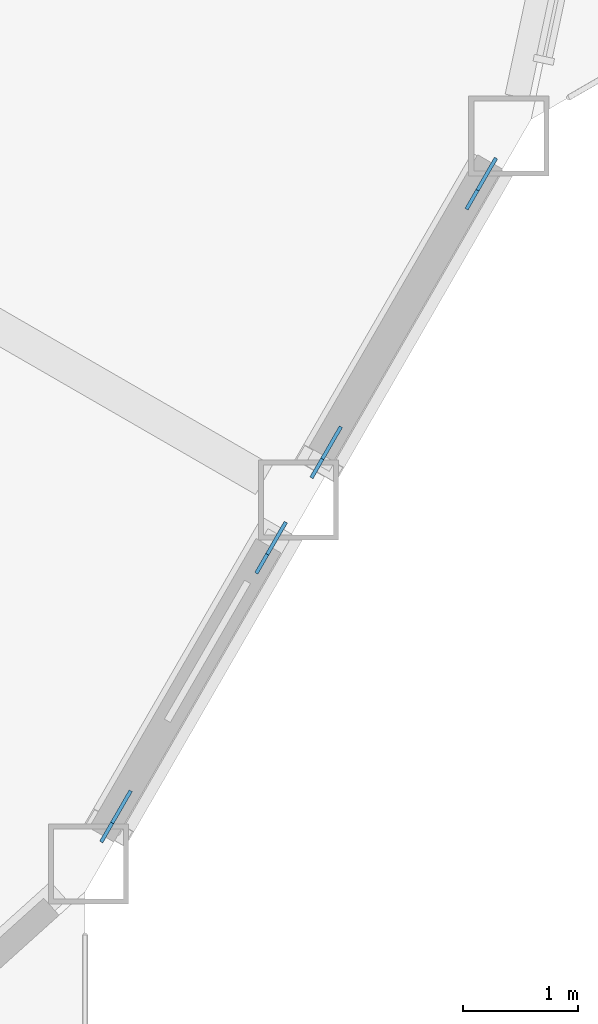
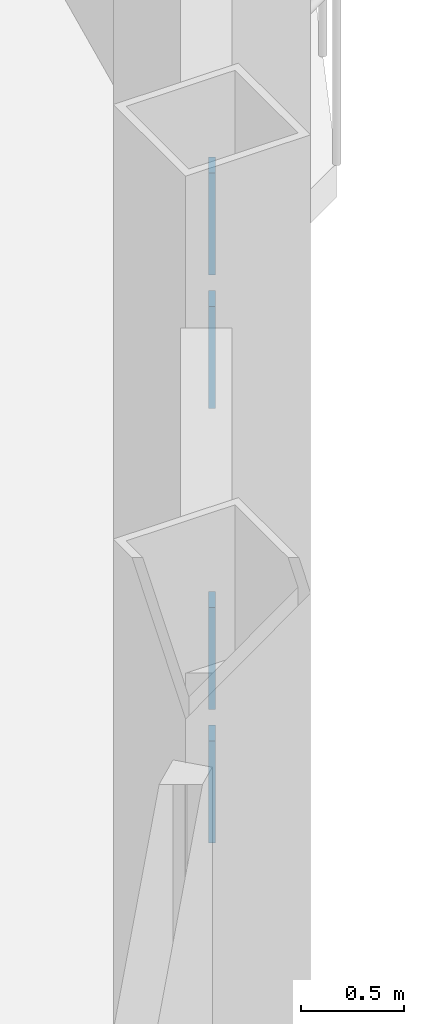
# One storey, part 17 of 23: 4 discrete accessories.
"""IFC4 building model written with IfcOpenShell, lengths in metres."""

from ifc_helpers import new_model, si_unit, direction, frame, origin, origin_2d, place, context, subcontext, project, spatial, rectangle, extrude, material, material_profile, profile_set, type_object, element, save


model = new_model("IFC4")

# Units and contexts
model_context = context("Model", 3, precision=1e-05, world=origin(), true_north=direction((0.0, 1.0)))
body_context = subcontext(model_context, "Body", "Model", "MODEL_VIEW")
ifc_project = project(units=[si_unit("LENGTHUNIT", "METRE"), si_unit("AREAUNIT", "SQUARE_METRE"), si_unit("VOLUMEUNIT", "CUBIC_METRE"), si_unit("PLANEANGLEUNIT", "RADIAN"), si_unit("MASSUNIT", "GRAM", prefix="KILO")], contexts=[model_context])

# Site, building, storey
site_placement = place(None, origin())
site = spatial("IfcSite", under=ifc_project, at=site_placement, CompositionType="ELEMENT")
building_placement = place(site_placement, origin())
building = spatial("IfcBuilding", under=site, at=building_placement, Name="Cormorant Prow Tower", CompositionType="ELEMENT")
storey_placement = place(building_placement, frame((0.0, 0.0, 263.39990234375)))
storey = spatial("IfcBuildingStorey", under=building, at=storey_placement, Name="L59", CompositionType="ELEMENT", Elevation=263.39990234375)

# Discrete accessories
ifc_material = material(Name="Structural steel ASTM A500 Gr C", Category="steel")
ifc_material_profile = material_profile(ifc_material, rectangle(XDim=0.031982421875, YDim=0.506103515625, at=origin_2d()), Name="Gusset plate 32x506")
ifc_profile_set = profile_set([ifc_material_profile], Name="Structural steel ASTM A500 Gr C")
discrete_accessory_type = type_object("IfcDiscreteAccessoryType", Name="Gusset plate 32x506", PredefinedType="BRACKET", material=ifc_profile_set)
discrete_accessory_1_placement = place(storey_placement, frame((27.454833984375, -16.59375, 0.863037109375), z_axis=(0.46266066689, 0.801805590131, -0.37822335061), x_axis=(-0.866147934042, 0.499787711288, 0.0)))
element("IfcDiscreteAccessory", 1, at=discrete_accessory_1_placement, inside=storey, type_object=discrete_accessory_type, Name="Gusset plate GP2 L59.ESE00.g0", PredefinedType="BRACKET", context=body_context, shape_type="SweptSolid", body=[
    extrude(rectangle(XDim=0.031982421875, YDim=0.506103515625, at=origin_2d()), origin(), (0.0, 0.0, 1.0), 0.349853515625),
])
discrete_accessory_2_placement = place(storey_placement, frame((26.262939453125, -18.658203125, 1.837890625), z_axis=(-0.462827914709, -0.801584490837, 0.378487285673), x_axis=(0.866010015463, -0.500026652407, 0.0)))
element("IfcDiscreteAccessory", 2, at=discrete_accessory_2_placement, inside=storey, type_object=discrete_accessory_type, Name="Gusset plate GP2 L59.ESE00.g1", PredefinedType="BRACKET", context=body_context, shape_type="SweptSolid", body=[
    extrude(rectangle(XDim=0.031982421875, YDim=0.506103515625, at=origin_2d()), origin(), (0.0, 0.0, 1.0), 0.350341796875),
])
discrete_accessory_3_placement = place(storey_placement, frame((29.2900390625, -13.4150390625, 0.863037109375), z_axis=(0.46266066689, 0.801805590131, -0.37822335061), x_axis=(-0.866147934042, 0.499787711288, 0.0)))
element("IfcDiscreteAccessory", 3, at=discrete_accessory_3_placement, inside=storey, type_object=discrete_accessory_type, Name="Gusset plate GP2 L59.ESE01.g0", PredefinedType="BRACKET", context=body_context, shape_type="SweptSolid", body=[
    extrude(rectangle(XDim=0.031982421875, YDim=0.506103515625, at=origin_2d()), origin(), (0.0, 0.0, 1.0), 0.349853515625),
])
discrete_accessory_4_placement = place(storey_placement, frame((28.09814453125, -15.4794921875, 1.837890625), z_axis=(-0.462827914709, -0.801584490837, 0.378487285673), x_axis=(0.866010015463, -0.500026652407, 0.0)))
element("IfcDiscreteAccessory", 4, at=discrete_accessory_4_placement, inside=storey, type_object=discrete_accessory_type, Name="Gusset plate GP2 L59.ESE01.g1", PredefinedType="BRACKET", context=body_context, shape_type="SweptSolid", body=[
    extrude(rectangle(XDim=0.031982421875, YDim=0.506103515625, at=origin_2d()), origin(), (0.0, 0.0, 1.0), 0.350341796875),
])

save(model, "model.ifc")
